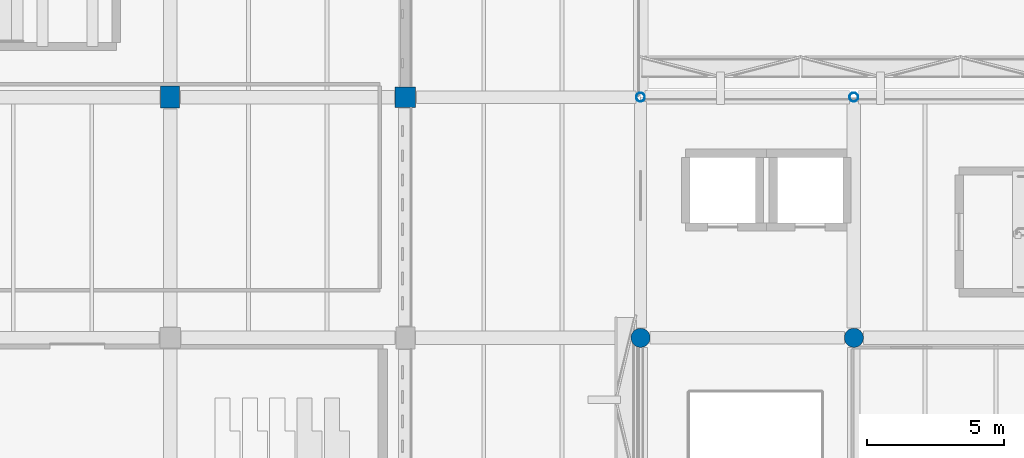
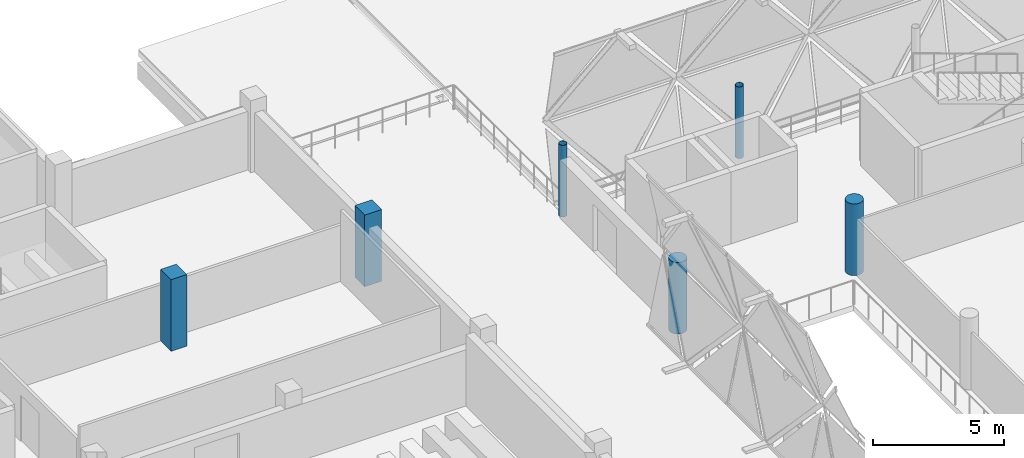
# One storey, part 3 of 93: 6 columns.
"""IFC4 building model written with IfcOpenShell, lengths in metres."""

from ifc_helpers import new_model, si_unit, direction, frame, origin, origin_2d, place, context, subcontext, project, spatial, rectangle, circle, hollow_circle, extrude, material, material_profile, profile_set, type_object, element, save


model = new_model("IFC4")

# Units and contexts
model_context = context("Model", 3, precision=1e-05, world=origin(), true_north=direction((0.0, 1.0)))
body_context = subcontext(model_context, "Body", "Model", "MODEL_VIEW")
ifc_project = project(units=[si_unit("LENGTHUNIT", "METRE"), si_unit("AREAUNIT", "SQUARE_METRE"), si_unit("VOLUMEUNIT", "CUBIC_METRE"), si_unit("PLANEANGLEUNIT", "RADIAN"), si_unit("MASSUNIT", "GRAM", prefix="KILO")], contexts=[model_context])

# Site, building, storey
site_placement = place(None, origin())
site = spatial("IfcSite", under=ifc_project, at=site_placement, CompositionType="ELEMENT")
building_placement = place(site_placement, origin())
building = spatial("IfcBuilding", under=site, at=building_placement, Name="Varnakota Cinema and Media Centre", CompositionType="ELEMENT")
storey_placement = place(building_placement, frame((0.0, 0.0, 12.0)))
storey = spatial("IfcBuildingStorey", under=building, at=storey_placement, Name="L03", CompositionType="ELEMENT", Elevation=12.0)

# Columns
ifc_material_1 = material(Name="Concrete M40", Category="concrete")
ifc_material_profile_1 = material_profile(ifc_material_1, rectangle(XDim=0.699951171875, YDim=0.800048828125, at=origin_2d()), Name="RC 700x800")
ifc_profile_set_1 = profile_set([ifc_material_profile_1], Name="Concrete M40")
column_type_1 = type_object("IfcColumnType", Name="COL-RC-700x800", PredefinedType="COLUMN", material=ifc_profile_set_1)
column_1_placement = place(storey_placement, frame((34.39990234375, 26.39990234375, 0.0), z_axis=(0.0, 0.0, 1.0), x_axis=(1.0, 0.0, 0.0)))
element("IfcColumn", 1, at=column_1_placement, inside=storey, type_object=column_type_1, Name="L03 column E/4", PredefinedType="COLUMN", context=body_context, shape_type="SweptSolid", body=[
    extrude(rectangle(XDim=0.699951171875, YDim=0.800048828125, at=origin_2d()), origin(), (0.0, 0.0, 1.0), 3.35009765625),
])
ifc_material_2 = material(Name="Concrete M40", Category="concrete")
ifc_material_profile_2 = material_profile(ifc_material_2, rectangle(XDim=0.75, YDim=0.75, at=origin_2d()), Name="RC 750x750")
ifc_profile_set_2 = profile_set([ifc_material_profile_2], Name="Concrete M40")
column_type_2 = type_object("IfcColumnType", Name="COL-RC-750x750", PredefinedType="COLUMN", material=ifc_profile_set_2)
column_2_placement = place(storey_placement, frame((43.0, 26.39990234375, 0.0), z_axis=(0.0, 0.0, 1.0), x_axis=(1.0, 0.0, 0.0)))
element("IfcColumn", 2, at=column_2_placement, inside=storey, type_object=column_type_2, Name="L03 column F/4", PredefinedType="COLUMN", context=body_context, shape_type="SweptSolid", body=[
    extrude(rectangle(XDim=0.75, YDim=0.75, at=origin_2d()), origin(), (0.0, 0.0, 1.0), 3.35009765625),
])
ifc_material_3 = material(Name="Concrete M40", Category="concrete")
ifc_material_profile_3 = material_profile(ifc_material_3, circle(Radius=0.35009765625, at=origin_2d()), Name="RC D700")
ifc_profile_set_3 = profile_set([ifc_material_profile_3], Name="Concrete M40")
column_type_3 = type_object("IfcColumnType", Name="COL-RC-D700", PredefinedType="COLUMN", material=ifc_profile_set_3)
for number, where, z_axis, x_axis, name in (
    (3, (51.60009765625, 17.60009765625, 0.0), (0.0, 0.0, 1.0), (1.0, 0.0, 0.0), "L03 column G/3"),
    (4, (59.39990234375, 17.60009765625, 0.0), (0.0, 0.0, 1.0), (1.0, 0.0, 0.0), "L03 column H/3"),
):
    element("IfcColumn", number, at=place(storey_placement, frame(where, z_axis=z_axis, x_axis=x_axis)), inside=storey, type_object=column_type_3, Name=name, PredefinedType="COLUMN", context=body_context, shape_type="SweptSolid", body=[
        extrude(circle(Radius=0.35009765625, at=origin_2d()), origin(), (0.0, 0.0, 1.0), 3.35009765625),
    ])
ifc_material_4 = material(Name="Structural steel S355 (YSt 355)", Category="steel")
ifc_material_profile_4 = material_profile(ifc_material_4, hollow_circle(Radius=0.161865234375, WallThickness=0.010009765625, at=origin_2d()), Name="CHS 323.9x10.0")
ifc_profile_set_4 = profile_set([ifc_material_profile_4], Name="Structural steel S355 (YSt 355)")
column_type_4 = type_object("IfcColumnType", Name="COL-ST-CHS324", PredefinedType="COLUMN", material=ifc_profile_set_4)
for number, where, z_axis, x_axis, name in (
    (5, (51.60009765625, 26.39990234375, 0.0), (0.0, 0.0, 1.0), (1.0, 0.0, 0.0), "L03 column G/4"),
    (6, (59.39990234375, 26.39990234375, 0.0), (0.0, 0.0, 1.0), (1.0, 0.0, 0.0), "L03 column H/4"),
):
    element("IfcColumn", number, at=place(storey_placement, frame(where, z_axis=z_axis, x_axis=x_axis)), inside=storey, type_object=column_type_4, Name=name, PredefinedType="COLUMN", context=body_context, shape_type="SweptSolid", body=[
        extrude(hollow_circle(Radius=0.161865234375, WallThickness=0.010009765625, at=origin_2d()), origin(), (0.0, 0.0, 1.0), 3.35009765625),
    ])

save(model, "model.ifc")
